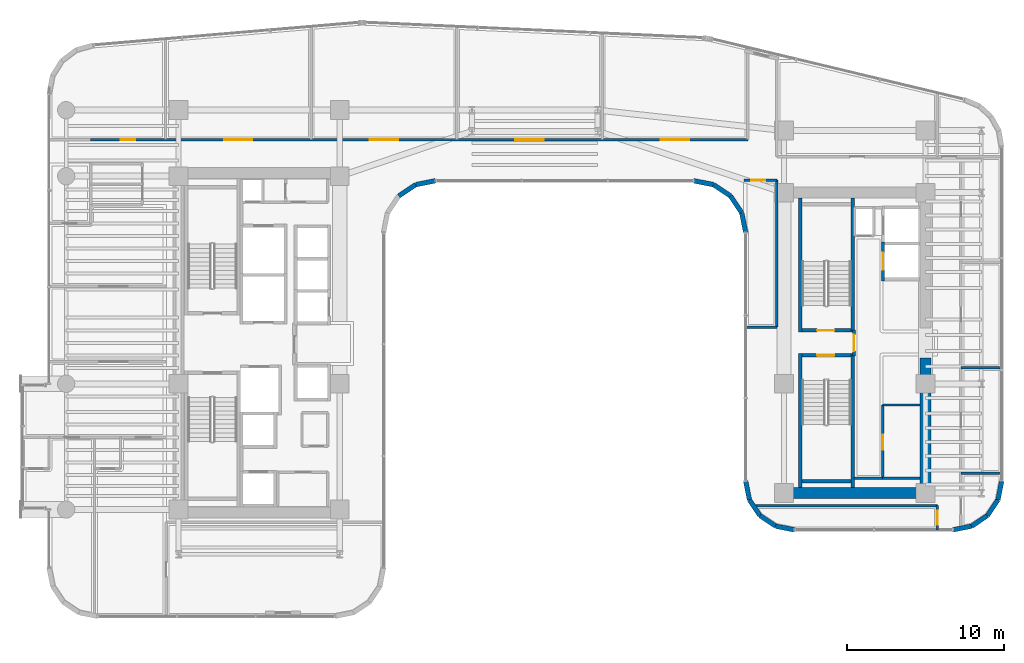
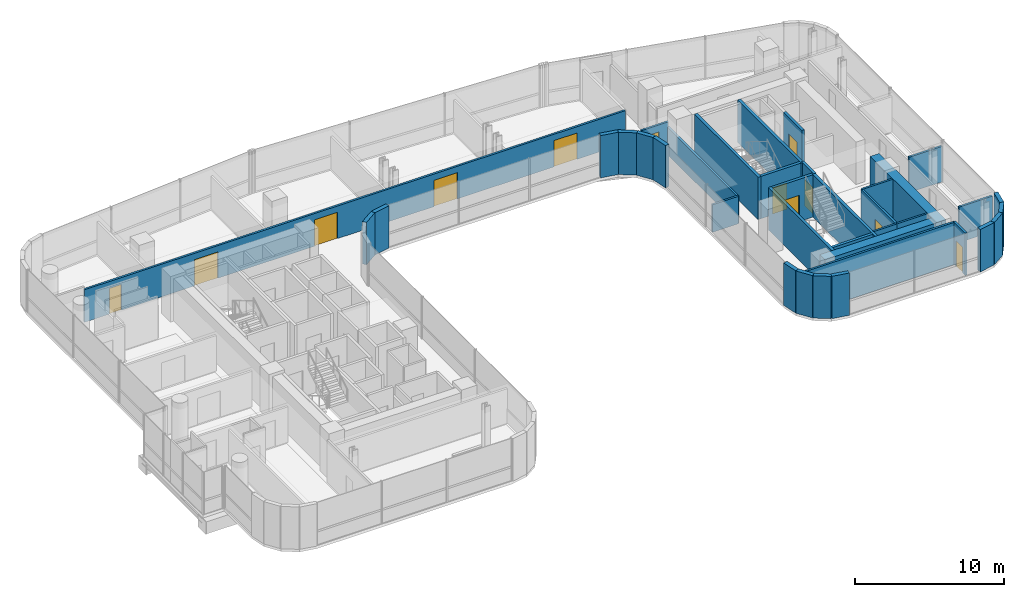
# One storey, part 30 of 37: 37 walls, 12 doors, 12 openings.
"""IFC4 building model written with IfcOpenShell, lengths in metres."""

from ifc_helpers import new_model, si_unit, direction, frame, frame_2d, origin, place, context, subcontext, project, spatial, rectangle, extrude, material, layer, layer_set, type_object, element, fill, save


model = new_model("IFC4")

# Units and contexts
model_context = context("Model", 3, precision=1e-05, world=origin(), true_north=direction((0.0, 1.0)))
body_context = subcontext(model_context, "Body", "Model", "MODEL_VIEW")
ifc_project = project(units=[si_unit("LENGTHUNIT", "METRE"), si_unit("AREAUNIT", "SQUARE_METRE"), si_unit("VOLUMEUNIT", "CUBIC_METRE"), si_unit("PLANEANGLEUNIT", "RADIAN"), si_unit("MASSUNIT", "GRAM", prefix="KILO")], contexts=[model_context])

# Site, building, storey
site_placement = place(None, origin())
site = spatial("IfcSite", under=ifc_project, at=site_placement, CompositionType="ELEMENT")
building_placement = place(site_placement, origin())
building = spatial("IfcBuilding", under=site, at=building_placement, Name="Valdorenza Pilgrim Sanctuary Tower", CompositionType="ELEMENT")
storey_placement = place(building_placement, frame((0.0, 0.0, 135.300048828125)))
storey = spatial("IfcBuildingStorey", under=building, at=storey_placement, Name="L34", CompositionType="ELEMENT", Elevation=135.300048828125)

# Wall
ifc_material_1 = material(Name="Acoustic twin-stud gypsum partition", Category="gypsum")
ifc_layer_1 = layer(ifc_material_1, 0.159912109375, Name="Acoustic twin-stud gypsum partition")
ifc_layer_set_1 = layer_set([ifc_layer_1], Name="Acoustic twin-stud gypsum partition")
wall_type_1 = type_object("IfcWallType", Name="WAL-COR-160", PredefinedType="PARTITIONING", material=ifc_layer_set_1)
wall_1_placement = place(storey_placement, frame((20.300048828125, -8.60009765625, 0.0), z_axis=(0.0, 0.0, 1.0), x_axis=(1.0, 0.0, 0.0)))
element("IfcWall", 1, at=wall_1_placement, inside=storey, type_object=wall_type_1, Name="L34 Core B Lift Hall South End Wall", PredefinedType="PARTITIONING", context=body_context, shape_type="SweptSolid", body=[
    extrude(rectangle(XDim=1.820068359375, YDim=0.159912109375, at=frame_2d((0.91015625, 0.0))), origin(), (0.0, 0.0, 1.0), 3.4599609375),
])

# Wall, opening, door
wall_2_placement = place(storey_placement, frame((22.1201171875, -8.60009765625, 0.0), z_axis=(0.0, 0.0, 1.0), x_axis=(0.0, 1.0, 0.0)))
wall_2 = element("IfcWall", 2, at=wall_2_placement, inside=storey, type_object=wall_type_1, Name="L34 Core B Freed Shaft West Wall", PredefinedType="PARTITIONING", context=body_context, shape_type="SweptSolid", body=[
    extrude(rectangle(XDim=4.650146484375, YDim=0.159912109375, at=frame_2d((2.3251953125, 0.0))), origin(), (0.0, 0.0, 1.0), 3.4599609375),
])
opening_1_placement = place(wall_2_placement, frame((1.800048828125, 0.0, 0.0)))
opening_1 = element("IfcOpeningElement", 3, at=opening_1_placement, cuts=wall_2, Name="Opening DR-UN1", PredefinedType="OPENING", context=body_context, shape_type="SweptSolid", body=[
    extrude(rectangle(XDim=0.949951171875, YDim=2.14990234375, at=frame_2d((0.47509765625, 1.074951171875))), frame((0.0, 0.0947265625, 0.0), z_axis=(0.0, -1.0, 0.0), x_axis=(1.0, 0.0, 0.0)), (0.0, 0.0, 1.0), 0.189697265625),
])
ifc_material_2 = material(Name="Solid-core European oak timber", Category="wood")
door_type_1 = type_object("IfcDoorType", Name="DR-UNIT-950", OperationType="NOTDEFINED", PredefinedType="DOOR", material=ifc_material_2)
door_1_placement = place(opening_1_placement, origin())
door_1 = element("IfcDoor", 4, at=door_1_placement, inside=storey, type_object=door_type_1, Name="L34 East Core Linen Store Door", OperationType="SINGLE_SWING_RIGHT", OverallHeight=2.14990234375, OverallWidth=0.949951171875, PredefinedType="DOOR", context=body_context, shape_type="SweptSolid", body=[
    extrude(rectangle(XDim=0.949951171875, YDim=2.14990234375, at=frame_2d((0.47509765625, 1.074951171875))), frame((0.0, 0.02490234375, 0.0), z_axis=(0.0, -1.0, 0.0), x_axis=(1.0, 0.0, 0.0)), (0.0, 0.0, 1.0), 0.050048828125),
])
fill(opening_1, door_1)

# Wall, openings, doors
wall_3_placement = place(storey_placement, frame((-28.25, 12.919921875, 0.0), z_axis=(0.0, 0.0, 1.0), x_axis=(1.0, 0.0, 0.0)))
wall_3 = element("IfcWall", 5, at=wall_3_placement, inside=storey, type_object=wall_type_1, Name="L34 North Corridor Wall", PredefinedType="PARTITIONING", context=body_context, shape_type="SweptSolid", body=[
    extrude(rectangle(XDim=41.800048828125, YDim=0.159912109375, at=frame_2d((20.89990234375, 0.0))), origin(), (0.0, 0.0, 1.0), 2.666015625),
])
opening_2_placement = place(wall_3_placement, frame((1.93408203125, 0.0, 0.0)))
opening_2 = element("IfcOpeningElement", 6, at=opening_2_placement, cuts=wall_3, Name="Opening DR-RM1", PredefinedType="OPENING", context=body_context, shape_type="SweptSolid", body=[
    extrude(rectangle(XDim=0.89990234375, YDim=2.10009765625, at=frame_2d((0.449951171875, 1.050048828125))), frame((0.0, 0.0947265625, 0.0), z_axis=(0.0, -1.0, 0.0), x_axis=(1.0, 0.0, 0.0)), (0.0, 0.0, 1.0), 0.189697265625),
])
opening_3_placement = place(wall_3_placement, frame((8.4970703125, 0.0, 0.0)))
opening_3 = element("IfcOpeningElement", 7, at=opening_3_placement, cuts=wall_3, Name="Opening DR-HL1", PredefinedType="OPENING", context=body_context, shape_type="SweptSolid", body=[
    extrude(rectangle(XDim=1.800048828125, YDim=2.14990234375, at=frame_2d((0.89990234375, 1.074951171875))), frame((0.0, 0.0947265625, 0.0), z_axis=(0.0, -1.0, 0.0), x_axis=(1.0, 0.0, 0.0)), (0.0, 0.0, 1.0), 0.189697265625),
])
opening_4_placement = place(wall_3_placement, frame((17.7548828125, 0.0, 0.0)))
opening_4 = element("IfcOpeningElement", 8, at=opening_4_placement, cuts=wall_3, Name="Opening DR-HL1", PredefinedType="OPENING", context=body_context, shape_type="SweptSolid", body=[
    extrude(rectangle(XDim=1.800048828125, YDim=2.14990234375, at=frame_2d((0.89990234375, 1.074951171875))), frame((0.0, 0.0947265625, 0.0), z_axis=(0.0, -1.0, 0.0), x_axis=(1.0, 0.0, 0.0)), (0.0, 0.0, 1.0), 0.189697265625),
])
opening_5_placement = place(wall_3_placement, frame((27.012939453125, 0.0, 0.0)))
opening_5 = element("IfcOpeningElement", 9, at=opening_5_placement, cuts=wall_3, Name="Opening DR-HL1", PredefinedType="OPENING", context=body_context, shape_type="SweptSolid", body=[
    extrude(rectangle(XDim=1.800048828125, YDim=2.14990234375, at=frame_2d((0.89990234375, 1.074951171875))), frame((0.0, 0.0947265625, 0.0), z_axis=(0.0, -1.0, 0.0), x_axis=(1.0, 0.0, 0.0)), (0.0, 0.0, 1.0), 0.189697265625),
])
opening_6_placement = place(wall_3_placement, frame((36.27099609375, 0.0, 0.0)))
opening_6 = element("IfcOpeningElement", 10, at=opening_6_placement, cuts=wall_3, Name="Opening DR-HL1", PredefinedType="OPENING", context=body_context, shape_type="SweptSolid", body=[
    extrude(rectangle(XDim=1.800048828125, YDim=2.14990234375, at=frame_2d((0.89990234375, 1.074951171875))), frame((0.0, 0.0947265625, 0.0), z_axis=(0.0, -1.0, 0.0), x_axis=(1.0, 0.0, 0.0)), (0.0, 0.0, 1.0), 0.189697265625),
])
ifc_material_3 = material(Name="Acoustic oak and vision-glass double door", Category="glass")
door_type_2 = type_object("IfcDoorType", Name="DR-HALL-1800", OperationType="NOTDEFINED", PredefinedType="DOOR", material=ifc_material_3)
door_2_placement = place(opening_3_placement, origin())
door_2 = element("IfcDoor", 11, at=door_2_placement, inside=storey, type_object=door_type_2, Name="L34 Theological Seminar Classroom L34-N2 Door", OperationType="DOUBLE_DOOR_SINGLE_SWING", OverallHeight=2.14990234375, OverallWidth=1.800048828125, PredefinedType="DOOR", context=body_context, shape_type="SweptSolid", body=[
    extrude(rectangle(XDim=1.800048828125, YDim=2.14990234375, at=frame_2d((0.89990234375, 1.074951171875))), frame((0.0, 0.02490234375, 0.0), z_axis=(0.0, -1.0, 0.0), x_axis=(1.0, 0.0, 0.0)), (0.0, 0.0, 1.0), 0.050048828125),
])
fill(opening_3, door_2)
door_3_placement = place(opening_4_placement, frame((1.800048828125, 0.0, 0.0), z_axis=(0.0, 0.0, 1.0), x_axis=(-1.0, 0.0, 0.0)))
door_3 = element("IfcDoor", 12, at=door_3_placement, inside=storey, type_object=door_type_2, Name="L34 Theological Seminar Classroom L34-N3 Door", OperationType="DOUBLE_DOOR_SINGLE_SWING", OverallHeight=2.14990234375, OverallWidth=1.800048828125, PredefinedType="DOOR", context=body_context, shape_type="SweptSolid", body=[
    extrude(rectangle(XDim=1.800048828125, YDim=2.14990234375, at=frame_2d((0.89990234375, 1.074951171875))), frame((0.0, 0.02490234375, 0.0), z_axis=(0.0, -1.0, 0.0), x_axis=(1.0, 0.0, 0.0)), (0.0, 0.0, 1.0), 0.050048828125),
])
fill(opening_4, door_3)
door_4_placement = place(opening_5_placement, origin())
door_4 = element("IfcDoor", 13, at=door_4_placement, inside=storey, type_object=door_type_2, Name="L34 Theological Seminar Classroom L34-N4 Door", OperationType="DOUBLE_DOOR_SINGLE_SWING", OverallHeight=2.14990234375, OverallWidth=1.800048828125, PredefinedType="DOOR", context=body_context, shape_type="SweptSolid", body=[
    extrude(rectangle(XDim=1.800048828125, YDim=2.14990234375, at=frame_2d((0.89990234375, 1.074951171875))), frame((0.0, 0.02490234375, 0.0), z_axis=(0.0, -1.0, 0.0), x_axis=(1.0, 0.0, 0.0)), (0.0, 0.0, 1.0), 0.050048828125),
])
fill(opening_5, door_4)
door_5_placement = place(opening_6_placement, frame((1.800048828125, 0.0, 0.0), z_axis=(0.0, 0.0, 1.0), x_axis=(-1.0, 0.0, 0.0)))
door_5 = element("IfcDoor", 14, at=door_5_placement, inside=storey, type_object=door_type_2, Name="L34 Theological Seminar Classroom L34-N5 Door", OperationType="DOUBLE_DOOR_SINGLE_SWING", OverallHeight=2.14990234375, OverallWidth=1.800048828125, PredefinedType="DOOR", context=body_context, shape_type="SweptSolid", body=[
    extrude(rectangle(XDim=1.800048828125, YDim=2.14990234375, at=frame_2d((0.89990234375, 1.074951171875))), frame((0.0, 0.02490234375, 0.0), z_axis=(0.0, -1.0, 0.0), x_axis=(1.0, 0.0, 0.0)), (0.0, 0.0, 1.0), 0.050048828125),
])
fill(opening_6, door_5)
door_type_3 = type_object("IfcDoorType", Name="DR-ROOM-900", OperationType="NOTDEFINED", PredefinedType="DOOR", material=ifc_material_2)
door_6_placement = place(opening_2_placement, frame((0.89990234375, 0.0, 0.0), z_axis=(0.0, 0.0, 1.0), x_axis=(-1.0, 0.0, 0.0)))
door_6 = element("IfcDoor", 15, at=door_6_placement, inside=storey, type_object=door_type_3, Name="L34 Theological Seminar Classroom L34-N1 Door", OperationType="SINGLE_SWING_LEFT", OverallHeight=2.10009765625, OverallWidth=0.89990234375, PredefinedType="DOOR", context=body_context, shape_type="SweptSolid", body=[
    extrude(rectangle(XDim=0.89990234375, YDim=2.10009765625, at=frame_2d((0.449951171875, 1.050048828125))), frame((0.0, 0.02490234375, 0.0), z_axis=(0.0, -1.0, 0.0), x_axis=(1.0, 0.0, 0.0)), (0.0, 0.0, 1.0), 0.050048828125),
])
fill(opening_2, door_6)

# Wall, opening, door
wall_4_placement = place(storey_placement, frame((25.60009765625, -11.889892578125, 0.0), z_axis=(0.0, 0.0, 1.0), x_axis=(0.0, 1.0, 0.0)))
wall_4 = element("IfcWall", 16, at=wall_4_placement, inside=storey, type_object=wall_type_1, Name="L34 Wing B South-East Wall", PredefinedType="PARTITIONING", context=body_context, shape_type="SweptSolid", body=[
    extrude(rectangle(XDim=1.539794921875, YDim=0.159912109375, at=frame_2d((0.77001953125, 0.0))), origin(), (0.0, 0.0, 1.0), 3.4599609375),
])
opening_7_placement = place(wall_4_placement, frame((0.320068359375, 0.0, 0.0)))
opening_7 = element("IfcOpeningElement", 17, at=opening_7_placement, cuts=wall_4, Name="Opening DR-RM1", PredefinedType="OPENING", context=body_context, shape_type="SweptSolid", body=[
    extrude(rectangle(XDim=0.89990234375, YDim=2.10009765625, at=frame_2d((0.449951171875, 1.050048828125))), frame((0.0, 0.0947265625, 0.0), z_axis=(0.0, -1.0, 0.0), x_axis=(1.0, 0.0, 0.0)), (0.0, 0.0, 1.0), 0.189697265625),
])
door_7_placement = place(opening_7_placement, frame((0.89990234375, 0.0, 0.0), z_axis=(0.0, 0.0, 1.0), x_axis=(-1.0, 0.0, 0.0)))
door_7 = element("IfcDoor", 18, at=door_7_placement, inside=storey, type_object=door_type_3, Name="L34 Sacred Manuscript Archive L34-BS Door", OperationType="SINGLE_SWING_LEFT", OverallHeight=2.10009765625, OverallWidth=0.89990234375, PredefinedType="DOOR", context=body_context, shape_type="SweptSolid", body=[
    extrude(rectangle(XDim=0.89990234375, YDim=2.10009765625, at=frame_2d((0.449951171875, 1.050048828125))), frame((0.0, 0.02490234375, 0.0), z_axis=(0.0, -1.0, 0.0), x_axis=(1.0, 0.0, 0.0)), (0.0, 0.0, 1.0), 0.050048828125),
])
fill(opening_7, door_7)

# Wall
wall_5_placement = place(storey_placement, frame((14.043701171875, -10.35009765625, 0.0), z_axis=(0.0, 0.0, 1.0), x_axis=(1.0, 0.0, 0.0)))
element("IfcWall", 19, at=wall_5_placement, inside=storey, type_object=wall_type_1, Name="L34 Wing B South Closure", PredefinedType="PARTITIONING", context=body_context, shape_type="SweptSolid", body=[
    extrude(rectangle(XDim=11.556396484375, YDim=0.159912109375, at=frame_2d((5.7783203125, 0.0))), origin(), (0.0, 0.0, 1.0), 3.4599609375),
])

# Wall, opening, door
wall_6_placement = place(storey_placement, frame((13.300048828125, 10.35009765625, 0.0), z_axis=(0.0, 0.0, 1.0), x_axis=(1.0, 0.0, 0.0)))
wall_6 = element("IfcWall", 20, at=wall_6_placement, inside=storey, type_object=wall_type_1, Name="L34 Courtyard Overlook North Wall", PredefinedType="PARTITIONING", context=body_context, shape_type="SweptSolid", body=[
    extrude(rectangle(XDim=2.099853515625, YDim=0.159912109375, at=frame_2d((1.0498046875, 0.0))), origin(), (0.0, 0.0, 1.0), 2.666015625),
])
opening_8_placement = place(wall_6_placement, frame((0.449951171875, 0.0, 0.0)))
opening_8 = element("IfcOpeningElement", 21, at=opening_8_placement, cuts=wall_6, Name="Opening DR-RM1", PredefinedType="OPENING", context=body_context, shape_type="SweptSolid", body=[
    extrude(rectangle(XDim=0.89990234375, YDim=2.10009765625, at=frame_2d((0.449951171875, 1.050048828125))), frame((0.0, 0.0947265625, 0.0), z_axis=(0.0, -1.0, 0.0), x_axis=(1.0, 0.0, 0.0)), (0.0, 0.0, 1.0), 0.189697265625),
])
door_8_placement = place(opening_8_placement, origin())
door_8 = element("IfcDoor", 22, at=door_8_placement, inside=storey, type_object=door_type_3, Name="L34 Courtyard Overlook Salon Door", OperationType="SINGLE_SWING_LEFT", OverallHeight=2.10009765625, OverallWidth=0.89990234375, PredefinedType="DOOR", context=body_context, shape_type="SweptSolid", body=[
    extrude(rectangle(XDim=0.89990234375, YDim=2.10009765625, at=frame_2d((0.449951171875, 1.050048828125))), frame((0.0, 0.02490234375, 0.0), z_axis=(0.0, -1.0, 0.0), x_axis=(1.0, 0.0, 0.0)), (0.0, 0.0, 1.0), 0.050048828125),
])
fill(opening_8, door_8)

# Walls
wall_7_placement = place(storey_placement, frame((15.39990234375, 1.0, 0.0), z_axis=(0.0, 0.0, 1.0), x_axis=(0.0, 1.0, 0.0)))
element("IfcWall", 23, at=wall_7_placement, inside=storey, type_object=wall_type_1, Name="L34 Courtyard Overlook East Wall", PredefinedType="PARTITIONING", context=body_context, shape_type="SweptSolid", body=[
    extrude(rectangle(XDim=9.35009765625, YDim=0.159912109375, at=frame_2d((4.675048828125, 0.0))), origin(), (0.0, 0.0, 1.0), 2.244873046875),
])
wall_8_placement = place(storey_placement, frame((13.409912109375, 1.0, 0.0), z_axis=(0.0, 0.0, 1.0), x_axis=(1.0, 0.0, 0.0)))
element("IfcWall", 24, at=wall_8_placement, inside=storey, type_object=wall_type_1, Name="L34 Courtyard Overlook South Wall", PredefinedType="PARTITIONING", context=body_context, shape_type="SweptSolid", body=[
    extrude(rectangle(XDim=1.989990234375, YDim=0.159912109375, at=frame_2d((0.9951171875, 0.0))), origin(), (0.0, 0.0, 1.0), 2.244873046875),
])
ifc_material_4 = material(Name="Concrete C60/75", Category="concrete")
ifc_layer_2 = layer(ifc_material_4, 0.699951171875, Name="Concrete C60/75")
ifc_layer_set_2 = layer_set([ifc_layer_2], Name="Concrete C60/75")
wall_type_2 = type_object("IfcWallType", Name="WAL-COR-700", PredefinedType="SHEAR", material=ifc_layer_set_2)
wall_9_placement = place(storey_placement, frame((24.85009765625, -9.89990234375, 0.0), z_axis=(0.0, 0.0, 1.0), x_axis=(0.0, 1.0, 0.0)))
element("IfcWall", 25, at=wall_9_placement, inside=storey, type_object=wall_type_2, Name="L34 Split Core B Shear Wall ES", PredefinedType="SHEAR", context=body_context, shape_type="SweptSolid", body=[
    extrude(rectangle(XDim=8.949951171875, YDim=0.699951171875, at=frame_2d((4.47509765625, 0.0))), origin(), (0.0, 0.0, 1.0), 3.4599609375),
])
wall_10_placement = place(storey_placement, frame((15.85009765625, -9.550048828125, 0.0), z_axis=(0.0, 0.0, 1.0), x_axis=(1.0, 0.0, 0.0)))
element("IfcWall", 26, at=wall_10_placement, inside=storey, type_object=wall_type_2, Name="L34 Split Core B Shear Wall S", PredefinedType="SHEAR", context=body_context, shape_type="SweptSolid", body=[
    extrude(rectangle(XDim=9.0, YDim=0.699951171875, at=frame_2d((4.5, 0.0))), origin(), (0.0, 0.0, 1.0), 3.4599609375),
])
ifc_material_5 = material(Name="Honed travertine limestone", Category="masonry")
ifc_layer_3 = layer(ifc_material_5, 0.300048828125, Name="Honed travertine limestone")
ifc_layer_set_3 = layer_set([ifc_layer_3], Name="Honed travertine limestone")
wall_type_3 = type_object("IfcWallType", Name="WAL-EXT-300", PredefinedType="SOLIDWALL", material=ifc_layer_set_3)
wall_11_placement = place(storey_placement, frame((29.68994140625, -8.789306640625, 0.0), z_axis=(0.0, 0.0, 1.0), x_axis=(-0.194996050505, -0.980804027463, 0.0)))
element("IfcWall", 27, at=wall_11_placement, inside=storey, type_object=wall_type_3, Name="L34 Rounded Wind-Corner Stone Pier 22", PredefinedType="SOLIDWALL", context=body_context, shape_type="SweptSolid", body=[
    extrude(rectangle(XDim=1.2158203125, YDim=0.300048828125, at=frame_2d((0.60791015625, 0.0))), origin(), (0.0, 0.0, 1.0), 3.4599609375),
])
for number, where, z_axis, x_axis, name in (
    (28, (29.452880859375, -9.981689453125, 0.0), (0.0, 0.0, 1.0), (-0.555635100982, -0.831426265255, 0.0), "L34 Rounded Wind-Corner Stone Pier 23"),
    (29, (28.783447265625, -10.9833984375, 0.0), (0.0, 0.0, 1.0), (-0.831426265255, -0.555635100982, 0.0), "L34 Rounded Wind-Corner Stone Pier 24"),
):
    element("IfcWall", number, at=place(storey_placement, frame(where, z_axis=z_axis, x_axis=x_axis)), inside=storey, type_object=wall_type_3, Name=name, PredefinedType="SOLIDWALL", context=body_context, shape_type="SweptSolid", body=[
        extrude(rectangle(XDim=1.204833984375, YDim=0.300048828125, at=frame_2d((0.6025390625, 0.0))), origin(), (0.0, 0.0, 1.0), 3.4599609375),
    ])
wall_12_placement = place(storey_placement, frame((27.78173828125, -11.65283203125, 0.0), z_axis=(0.0, 0.0, 1.0), x_axis=(-0.980811661072, -0.194957650543, 0.0)))
element("IfcWall", 30, at=wall_12_placement, inside=storey, type_object=wall_type_3, Name="L34 Rounded Wind-Corner Stone Pier 25", PredefinedType="SOLIDWALL", context=body_context, shape_type="SweptSolid", body=[
    extrude(rectangle(XDim=1.216064453125, YDim=0.300048828125, at=frame_2d((0.60791015625, 0.0))), origin(), (0.0, 0.0, 1.0), 3.4599609375),
])
wall_13_placement = place(storey_placement, frame((16.5107421875, -11.889892578125, 0.0), z_axis=(0.0, 0.0, 1.0), x_axis=(-0.980804027463, 0.194996050505, 0.0)))
element("IfcWall", 31, at=wall_13_placement, inside=storey, type_object=wall_type_3, Name="L34 Rounded Wind-Corner Stone Pier 27", PredefinedType="SOLIDWALL", context=body_context, shape_type="SweptSolid", body=[
    extrude(rectangle(XDim=1.2158203125, YDim=0.300048828125, at=frame_2d((0.60791015625, 0.0))), origin(), (0.0, 0.0, 1.0), 3.4599609375),
])
for number, where, z_axis, x_axis, name in (
    (32, (15.318359375, -11.65283203125, 0.0), (0.0, 0.0, 1.0), (-0.831426265255, 0.555635100982, 0.0), "L34 Rounded Wind-Corner Stone Pier 28"),
    (33, (14.316650390625, -10.9833984375, 0.0), (0.0, 0.0, 1.0), (-0.555635100982, 0.831426265255, 0.0), "L34 Rounded Wind-Corner Stone Pier 29"),
):
    element("IfcWall", number, at=place(storey_placement, frame(where, z_axis=z_axis, x_axis=x_axis)), inside=storey, type_object=wall_type_3, Name=name, PredefinedType="SOLIDWALL", context=body_context, shape_type="SweptSolid", body=[
        extrude(rectangle(XDim=1.204833984375, YDim=0.300048828125, at=frame_2d((0.6025390625, 0.0))), origin(), (0.0, 0.0, 1.0), 3.4599609375),
    ])
wall_14_placement = place(storey_placement, frame((13.647216796875, -9.981689453125, 0.0), z_axis=(0.0, 0.0, 1.0), x_axis=(-0.195189223115, 0.980765602568, 0.0)))
element("IfcWall", 34, at=wall_14_placement, inside=storey, type_object=wall_type_3, Name="L34 Rounded Wind-Corner Stone Pier 30", PredefinedType="SOLIDWALL", context=body_context, shape_type="SweptSolid", body=[
    extrude(rectangle(XDim=1.2158203125, YDim=0.300048828125, at=frame_2d((0.60791015625, 0.0))), origin(), (0.0, 0.0, 1.0), 3.4599609375),
])
wall_15_placement = place(storey_placement, frame((13.409912109375, 7.0107421875, 0.0), z_axis=(0.0, 0.0, 1.0), x_axis=(-0.195090163074, 0.980785312019, 0.0)))
element("IfcWall", 35, at=wall_15_placement, inside=storey, type_object=wall_type_3, Name="L34 Rounded Wind-Corner Stone Pier 32", PredefinedType="SOLIDWALL", context=body_context, shape_type="SweptSolid", body=[
    extrude(rectangle(XDim=1.281494140625, YDim=0.300048828125, at=frame_2d((0.640625, 0.0))), origin(), (0.0, 0.0, 1.0), 3.4599609375),
])
for number, where, z_axis, x_axis, name in (
    (36, (13.159912109375, 8.267578125, 0.0), (0.0, 0.0, 1.0), (-0.555615398575, 0.831439431869, 0.0), "L34 Rounded Wind-Corner Stone Pier 33"),
    (37, (12.44189453125, 9.342041015625, 0.0), (0.0, 0.0, 1.0), (-0.831439431869, 0.555615398575, 0.0), "L34 Rounded Wind-Corner Stone Pier 34"),
):
    element("IfcWall", number, at=place(storey_placement, frame(where, z_axis=z_axis, x_axis=x_axis)), inside=storey, type_object=wall_type_3, Name=name, PredefinedType="SOLIDWALL", context=body_context, shape_type="SweptSolid", body=[
        extrude(rectangle(XDim=1.292236328125, YDim=0.300048828125, at=frame_2d((0.64599609375, 0.0))), origin(), (0.0, 0.0, 1.0), 3.4599609375),
    ])
for number, where, z_axis, x_axis, name in (
    (38, (11.367431640625, 10.06005859375, 0.0), (0.0, 0.0, 1.0), (-0.980778058848, 0.195126623715, 0.0), "L34 Rounded Wind-Corner Stone Pier 35"),
    (39, (-6.310791015625, 10.31005859375, 0.0), (0.0, 0.0, 1.0), (-0.980778058848, -0.195126623715, 0.0), "L34 Rounded Wind-Corner Stone Pier 37"),
):
    element("IfcWall", number, at=place(storey_placement, frame(where, z_axis=z_axis, x_axis=x_axis)), inside=storey, type_object=wall_type_3, Name=name, PredefinedType="SOLIDWALL", context=body_context, shape_type="SweptSolid", body=[
        extrude(rectangle(XDim=1.28125, YDim=0.300048828125, at=frame_2d((0.640625, 0.0))), origin(), (0.0, 0.0, 1.0), 3.4599609375),
    ])
wall_16_placement = place(storey_placement, frame((-7.5673828125, 10.06005859375, 0.0), z_axis=(0.0, 0.0, 1.0), x_axis=(-0.831497739511, -0.555528135371, 0.0)))
element("IfcWall", 40, at=wall_16_placement, inside=storey, type_object=wall_type_3, Name="L34 Rounded Wind-Corner Stone Pier 38", PredefinedType="SOLIDWALL", context=body_context, shape_type="SweptSolid", body=[
    extrude(rectangle(XDim=1.29248046875, YDim=0.300048828125, at=frame_2d((0.646240234375, 0.0))), origin(), (0.0, 0.0, 1.0), 3.4599609375),
])

# Wall, opening, door
ifc_material_6 = material(Name="Gypsum shaftwall partition", Category="gypsum")
ifc_layer_4 = layer(ifc_material_6, 0.199951171875, Name="Gypsum shaftwall partition")
ifc_layer_set_4 = layer_set([ifc_layer_4], Name="Gypsum shaftwall partition")
wall_type_4 = type_object("IfcWallType", Name="WAL-FFL-200", PredefinedType="PARTITIONING", material=ifc_layer_set_4)
wall_17_placement = place(storey_placement, frame((20.300048828125, -0.820068359375, 0.0), z_axis=(0.0, 0.0, 1.0), x_axis=(0.0, 1.0, 0.0)))
wall_17 = element("IfcWall", 41, at=wall_17_placement, inside=storey, type_object=wall_type_4, Name="L34 Core B Firefighting Lobby East Wall", PredefinedType="PARTITIONING", context=body_context, shape_type="SweptSolid", body=[
    extrude(rectangle(XDim=1.64013671875, YDim=0.199951171875, at=frame_2d((0.820068359375, 0.0))), origin(), (0.0, 0.0, 1.0), 3.4599609375),
])
opening_9_placement = place(wall_17_placement, frame((0.294921875, 0.0, 0.0)))
opening_9 = element("IfcOpeningElement", 42, at=opening_9_placement, cuts=wall_17, Name="Opening DR-FL1", PredefinedType="OPENING", context=body_context, shape_type="SweptSolid", body=[
    extrude(rectangle(XDim=1.050048828125, YDim=2.14990234375, at=frame_2d((0.52490234375, 1.074951171875))), frame((0.0, 0.11474609375, 0.0), z_axis=(0.0, -1.0, 0.0), x_axis=(1.0, 0.0, 0.0)), (0.0, 0.0, 1.0), 0.229736328125),
])
ifc_material_7 = material(Name="Painted galvanized steel", Category="steel")
door_type_4 = type_object("IfcDoorType", Name="DR-FFL-1050", OperationType="NOTDEFINED", PredefinedType="DOOR", material=ifc_material_7)
door_9_placement = place(opening_9_placement, origin())
door_9 = element("IfcDoor", 43, at=door_9_placement, inside=storey, type_object=door_type_4, Name="L34 Core B Firefighting Lobby Door", OperationType="SINGLE_SWING_RIGHT", OverallHeight=2.14990234375, OverallWidth=1.050048828125, PredefinedType="DOOR", context=body_context, shape_type="SweptSolid", body=[
    extrude(rectangle(XDim=1.050048828125, YDim=2.14990234375, at=frame_2d((0.52490234375, 1.074951171875))), frame((0.0, 0.02490234375, 0.0), z_axis=(0.0, -1.0, 0.0), x_axis=(1.0, 0.0, 0.0)), (0.0, 0.0, 1.0), 0.050048828125),
])
fill(opening_9, door_9)

ifc_material_8 = material(Name="Autoclaved aerated concrete blockwork", Category="masonry")
ifc_layer_5 = layer(ifc_material_8, 0.199951171875, Name="Autoclaved aerated concrete blockwork")
ifc_layer_set_5 = layer_set([ifc_layer_5], Name="Autoclaved aerated concrete blockwork")
wall_type_5 = type_object("IfcWallType", Name="WAL-SHF-200", PredefinedType="MOVABLE", material=ifc_layer_set_5)
wall_18_placement = place(storey_placement, frame((22.14990234375, 3.949951171875, 0.0), z_axis=(0.0, 0.0, 1.0), x_axis=(0.0, 1.0, 0.0)))
wall_18 = element("IfcWall", 44, at=wall_18_placement, inside=storey, type_object=wall_type_5, Name="L34 Lift PL-07 Hoistway Wall West", PredefinedType="MOVABLE", context=body_context, shape_type="SweptSolid", body=[
    extrude(rectangle(XDim=2.47509765625, YDim=0.199951171875, at=frame_2d((1.237548828125, 0.0))), origin(), (0.0, 0.0, 1.0), 3.4599609375),
])
opening_10_placement = place(wall_18_placement, frame((0.6875, 0.0, 0.0)))
opening_10 = element("IfcOpeningElement", 45, at=opening_10_placement, cuts=wall_18, Name="Opening LD-01", PredefinedType="OPENING", context=body_context, shape_type="SweptSolid", body=[
    extrude(rectangle(XDim=1.10009765625, YDim=2.10009765625, at=frame_2d((0.550048828125, 1.050048828125))), frame((0.0, 0.11474609375, 0.0), z_axis=(0.0, -1.0, 0.0), x_axis=(1.0, 0.0, 0.0)), (0.0, 0.0, 1.0), 0.229736328125),
])
ifc_material_9 = material(Name="Brushed stainless steel Grade 316", Category="steel")
door_type_5 = type_object("IfcDoorType", Name="DR-LFT-1100", OperationType="DOUBLE_DOOR_SLIDING", PredefinedType="DOOR", material=ifc_material_9)
door_10_placement = place(opening_10_placement, origin())
door_10 = element("IfcDoor", 46, at=door_10_placement, inside=storey, type_object=door_type_5, Name="L34 Lift PL-07 Sliding Landing Door", OperationType="DOUBLE_DOOR_SLIDING", OverallHeight=2.10009765625, OverallWidth=1.10009765625, PredefinedType="DOOR", context=body_context, shape_type="SweptSolid", body=[
    extrude(rectangle(XDim=1.10009765625, YDim=2.10009765625, at=frame_2d((0.550048828125, 1.050048828125))), frame((0.0, 0.02490234375, 0.0), z_axis=(0.0, -1.0, 0.0), x_axis=(1.0, 0.0, 0.0)), (0.0, 0.0, 1.0), 0.050048828125),
])
fill(opening_10, door_10)

# Walls
ifc_material_10 = material(Name="Concrete C40/50", Category="concrete")
ifc_layer_6 = layer(ifc_material_10, 0.219970703125, Name="Concrete C40/50")
ifc_layer_set_6 = layer_set([ifc_layer_6], Name="Concrete C40/50")
wall_type_6 = type_object("IfcWallType", Name="WAL-STR-SHF-220", PredefinedType="SHEAR", material=ifc_layer_set_6)
for number, where, z_axis, x_axis, name in (
    (47, (16.889892578125, 0.679931640625, 0.0), (0.0, 0.0, 1.0), (0.0, 1.0, 0.0), "L34 ST-B1 Structural Stairwell Wall W"),
    (48, (20.219970703125, 0.679931640625, 0.0), (0.0, 0.0, 1.0), (0.0, 1.0, 0.0), "L34 ST-B1 Structural Stairwell Wall E"),
):
    element("IfcWall", number, at=place(storey_placement, frame(where, z_axis=z_axis, x_axis=x_axis)), inside=storey, type_object=wall_type_6, Name=name, PredefinedType="SHEAR", context=body_context, shape_type="SweptSolid", body=[
        extrude(rectangle(XDim=8.52001953125, YDim=0.219970703125, at=frame_2d((4.260009765625, 0.0))), origin(), (0.0, 0.0, 1.0), 3.4599609375),
    ])

# Wall, opening, door
wall_19_placement = place(storey_placement, frame((17.0, 0.7900390625, 0.0), z_axis=(0.0, 0.0, 1.0), x_axis=(1.0, 0.0, 0.0)))
wall_19 = element("IfcWall", 49, at=wall_19_placement, inside=storey, type_object=wall_type_6, Name="L34 ST-B1 Structural Stairwell Wall S", PredefinedType="SHEAR", context=body_context, shape_type="SweptSolid", body=[
    extrude(rectangle(XDim=3.110107421875, YDim=0.219970703125, at=frame_2d((1.55517578125, 0.0))), origin(), (0.0, 0.0, 1.0), 3.4599609375),
])
opening_11_placement = place(wall_19_placement, frame((0.949951171875, 0.0, 0.0)))
opening_11 = element("IfcOpeningElement", 50, at=opening_11_placement, cuts=wall_19, Name="Opening DR-ST1", PredefinedType="OPENING", context=body_context, shape_type="SweptSolid", body=[
    extrude(rectangle(XDim=1.10009765625, YDim=2.14990234375, at=frame_2d((0.550048828125, 1.074951171875))), frame((0.0, 0.125, 0.0), z_axis=(0.0, -1.0, 0.0), x_axis=(1.0, 0.0, 0.0)), (0.0, 0.0, 1.0), 0.249755859375),
])
door_type_6 = type_object("IfcDoorType", Name="DR-STAIR-1100", OperationType="NOTDEFINED", PredefinedType="DOOR", material=ifc_material_7)
door_11_placement = place(opening_11_placement, frame((1.10009765625, 0.0, 0.0), z_axis=(0.0, 0.0, 1.0), x_axis=(-1.0, 0.0, 0.0)))
door_11 = element("IfcDoor", 51, at=door_11_placement, inside=storey, type_object=door_type_6, Name="L34 Exit Stair ST-B1 Door", OperationType="SINGLE_SWING_LEFT", OverallHeight=2.14990234375, OverallWidth=1.10009765625, PredefinedType="DOOR", context=body_context, shape_type="SweptSolid", body=[
    extrude(rectangle(XDim=1.10009765625, YDim=2.14990234375, at=frame_2d((0.550048828125, 1.074951171875))), frame((0.0, 0.02490234375, 0.0), z_axis=(0.0, -1.0, 0.0), x_axis=(1.0, 0.0, 0.0)), (0.0, 0.0, 1.0), 0.050048828125),
])
fill(opening_11, door_11)

# Walls
for number, where, z_axis, x_axis, name in (
    (52, (16.889892578125, -9.199951171875, 0.0), (0.0, 0.0, 1.0), (0.0, 1.0, 0.0), "L34 ST-B2 Structural Stairwell Wall W"),
    (53, (20.219970703125, -9.199951171875, 0.0), (0.0, 0.0, 1.0), (0.0, 1.0, 0.0), "L34 ST-B2 Structural Stairwell Wall E"),
):
    element("IfcWall", number, at=place(storey_placement, frame(where, z_axis=z_axis, x_axis=x_axis)), inside=storey, type_object=wall_type_6, Name=name, PredefinedType="SHEAR", context=body_context, shape_type="SweptSolid", body=[
        extrude(rectangle(XDim=8.52001953125, YDim=0.219970703125, at=frame_2d((4.260009765625, 0.0))), origin(), (0.0, 0.0, 1.0), 3.4599609375),
    ])
wall_20_placement = place(storey_placement, frame((17.0, -8.81005859375, 0.0), z_axis=(0.0, 0.0, 1.0), x_axis=(1.0, 0.0, 0.0)))
element("IfcWall", 54, at=wall_20_placement, inside=storey, type_object=wall_type_6, Name="L34 ST-B2 Structural Stairwell Wall S", PredefinedType="SHEAR", context=body_context, shape_type="SweptSolid", body=[
    extrude(rectangle(XDim=3.110107421875, YDim=0.219970703125, at=frame_2d((1.55517578125, 0.0))), origin(), (0.0, 0.0, 1.0), 3.4599609375),
])

# Wall, opening, door
wall_21_placement = place(storey_placement, frame((17.0, -0.7900390625, 0.0), z_axis=(0.0, 0.0, 1.0), x_axis=(1.0, 0.0, 0.0)))
wall_21 = element("IfcWall", 55, at=wall_21_placement, inside=storey, type_object=wall_type_6, Name="L34 ST-B2 Structural Stairwell Wall N", PredefinedType="SHEAR", context=body_context, shape_type="SweptSolid", body=[
    extrude(rectangle(XDim=3.110107421875, YDim=0.219970703125, at=frame_2d((1.55517578125, 0.0))), origin(), (0.0, 0.0, 1.0), 3.4599609375),
])
opening_12_placement = place(wall_21_placement, frame((0.949951171875, 0.0, 0.0)))
opening_12 = element("IfcOpeningElement", 56, at=opening_12_placement, cuts=wall_21, Name="Opening DR-ST1", PredefinedType="OPENING", context=body_context, shape_type="SweptSolid", body=[
    extrude(rectangle(XDim=1.10009765625, YDim=2.14990234375, at=frame_2d((0.550048828125, 1.074951171875))), frame((0.0, 0.125, 0.0), z_axis=(0.0, -1.0, 0.0), x_axis=(1.0, 0.0, 0.0)), (0.0, 0.0, 1.0), 0.249755859375),
])
door_12_placement = place(opening_12_placement, origin())
door_12 = element("IfcDoor", 57, at=door_12_placement, inside=storey, type_object=door_type_6, Name="L34 Exit Stair ST-B2 Door", OperationType="SINGLE_SWING_RIGHT", OverallHeight=2.14990234375, OverallWidth=1.10009765625, PredefinedType="DOOR", context=body_context, shape_type="SweptSolid", body=[
    extrude(rectangle(XDim=1.10009765625, YDim=2.14990234375, at=frame_2d((0.550048828125, 1.074951171875))), frame((0.0, 0.02490234375, 0.0), z_axis=(0.0, -1.0, 0.0), x_axis=(1.0, 0.0, 0.0)), (0.0, 0.0, 1.0), 0.050048828125),
])
fill(opening_12, door_12)

# Walls
ifc_layer_7 = layer(ifc_material_1, 0.14990234375, Name="Acoustic twin-stud gypsum partition")
ifc_layer_set_7 = layer_set([ifc_layer_7], Name="Acoustic twin-stud gypsum partition")
wall_type_7 = type_object("IfcWallType", Name="WAL-UNT-150", PredefinedType="PARTITIONING", material=ifc_layer_set_7)
for number, where, z_axis, x_axis, name in (
    (58, (22.1201171875, -3.949951171875, 0.0), (0.0, 0.0, 1.0), (1.0, 0.0, 0.0), "L34 Core B Freed Shaft North Wall"),
    (59, (22.1201171875, -8.60009765625, 0.0), (0.0, 0.0, 1.0), (1.0, 0.0, 0.0), "L34 Core B Freed Shaft South Wall"),
):
    element("IfcWall", number, at=place(storey_placement, frame(where, z_axis=z_axis, x_axis=x_axis)), inside=storey, type_object=wall_type_7, Name=name, PredefinedType="PARTITIONING", context=body_context, shape_type="SweptSolid", body=[
        extrude(rectangle(XDim=2.3798828125, YDim=0.14990234375, at=frame_2d((1.18994140625, 0.0))), origin(), (0.0, 0.0, 1.0), 3.4599609375),
    ])
for number, where, z_axis, x_axis, name in (
    (60, (27.10009765625, -8.287109375, 0.0), (0.0, 0.0, 1.0), (1.0, 0.0, 0.0), "L34 East Wing Guest Demising 1"),
    (61, (27.10009765625, -1.574951171875, 0.0), (0.0, 0.0, 1.0), (1.0, 0.0, 0.0), "L34 East Wing Guest Demising 2"),
):
    element("IfcWall", number, at=place(storey_placement, frame(where, z_axis=z_axis, x_axis=x_axis)), inside=storey, type_object=wall_type_7, Name=name, PredefinedType="PARTITIONING", context=body_context, shape_type="SweptSolid", body=[
        extrude(rectangle(XDim=2.58984375, YDim=0.14990234375, at=frame_2d((1.294921875, 0.0))), origin(), (0.0, 0.0, 1.0), 2.89599609375),
    ])

save(model, "model.ifc")
